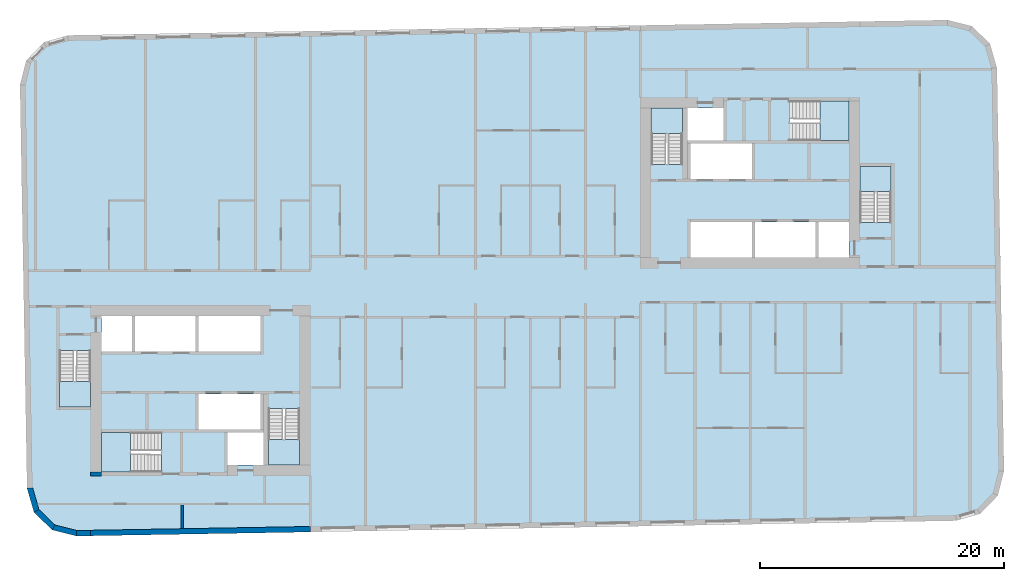
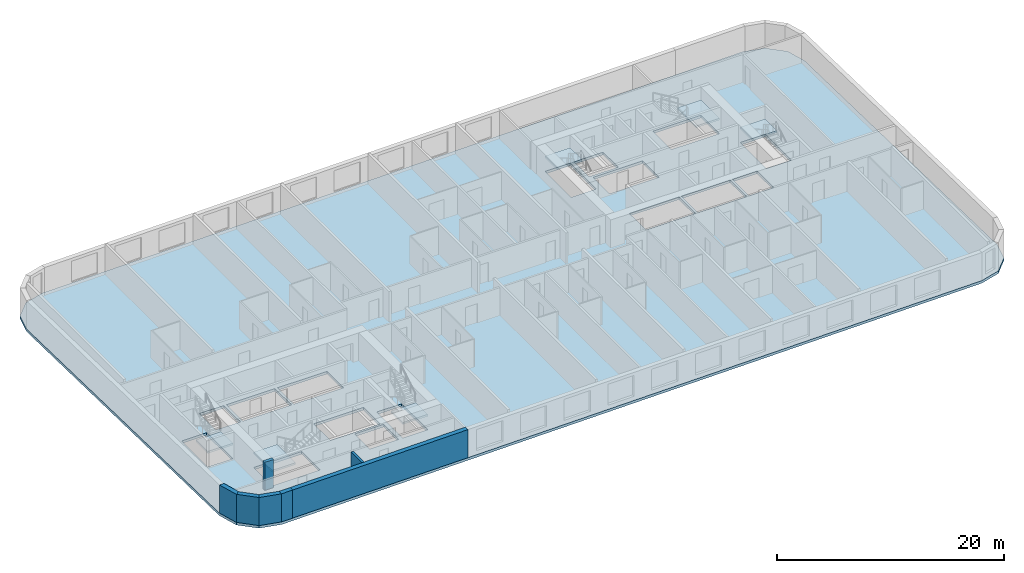
# One storey, part 1 of 12: 7 slabs, 7 walls, 6 elements without a shape of their own.
"""IFC4 building model written with IfcOpenShell, lengths in metres."""

from ifc_helpers import new_model, si_unit, direction, frame, frame_2d, origin, place, context, subcontext, project, spatial, polyline, rectangle, outline, extrude, material, layer, layer_set, type_object, element, aggregate, save


model = new_model("IFC4")

# Units and contexts
model_context = context("Model", 3, precision=1e-05, world=origin(), true_north=direction((0.0, 1.0)))
body_context = subcontext(model_context, "Body", "Model", "MODEL_VIEW")
ifc_project = project(units=[si_unit("LENGTHUNIT", "METRE"), si_unit("AREAUNIT", "SQUARE_METRE"), si_unit("VOLUMEUNIT", "CUBIC_METRE"), si_unit("PLANEANGLEUNIT", "RADIAN"), si_unit("MASSUNIT", "GRAM", prefix="KILO")], contexts=[model_context])

# Site, building, storey
site_placement = place(None, origin())
site = spatial("IfcSite", under=ifc_project, at=site_placement, CompositionType="ELEMENT")
building_placement = place(site_placement, origin())
building = spatial("IfcBuilding", under=site, at=building_placement, Name="Kajstack Hotel Tower", CompositionType="ELEMENT")
storey_placement = place(building_placement, frame((0.0, 0.0, 234.199951171875)))
storey = spatial("IfcBuildingStorey", under=building, at=storey_placement, Name="L57", CompositionType="ELEMENT", Elevation=234.199951171875)

# Slab
ifc_material_1 = material(Name="Concrete C40/50", Category="concrete")
ifc_layer_1 = layer(ifc_material_1, 0.280029296875)
ifc_layer_set_1 = layer_set([ifc_layer_1], Name="RC slab 280 C40/50 guest")
slab_type_1 = type_object("IfcSlabType", Name="RC slab 280 C40/50 guest", PredefinedType="FLOOR", material=ifc_layer_set_1)
slab_1_placement = place(storey_placement, frame((0.0, 0.0, -0.280029296875)))
element("IfcSlab", 1, at=slab_1_placement, inside=storey, type_object=slab_type_1, Name="S-slab-L57", PredefinedType="FLOOR", context=body_context, shape_type="SweptSolid", body=[
    extrude(outline(polyline([(-37.281982421875, 16.49951171875), (-36.705810546875, -16.49560546875), (-36.13525390625, -18.48583984375), (-34.645751953125, -19.92431640625), (-32.63671875, -20.42529296875), (39.352294921875, -19.168701171875), (41.342529296875, -18.597900390625), (42.781005859375, -17.1083984375), (43.281982421875, -15.099365234375), (42.705810546875, 17.8955078125), (42.13525390625, 19.885986328125), (40.645751953125, 21.32421875), (38.63671875, 21.8251953125), (-33.352294921875, 20.568603515625), (-35.342529296875, 19.997802734375), (-36.781005859375, 18.50830078125), (-37.281982421875, 16.49951171875)]), holes=[polyline([(-22.64990234375, -11.699951171875), (-22.64990234375, -8.800048828125), (-17.60009765625, -8.800048828125), (-17.60009765625, -11.699951171875), (-22.64990234375, -11.699951171875)]), polyline([(-27.85009765625, -5.300048828125), (-27.85009765625, -2.39990234375), (-22.89990234375, -2.39990234375), (-22.89990234375, -5.300048828125), (-27.85009765625, -5.300048828125)]), polyline([(-22.64990234375, -5.300048828125), (-22.64990234375, -2.39990234375), (-17.60009765625, -2.39990234375), (-17.60009765625, -5.300048828125), (-22.64990234375, -5.300048828125)]), polyline([(-20.300048828125, -14.60009765625), (-17.35009765625, -14.60009765625), (-17.35009765625, -11.949951171875), (-20.300048828125, -11.949951171875), (-20.300048828125, -14.60009765625)]), polyline([(-30.60009765625, -5.300048828125), (-28.10009765625, -5.300048828125), (-28.10009765625, -2.39990234375), (-30.60009765625, -2.39990234375), (-30.60009765625, -5.300048828125)]), polyline([(17.60009765625, 8.800048828125), (17.60009765625, 11.699951171875), (22.64990234375, 11.699951171875), (22.64990234375, 8.800048828125), (17.60009765625, 8.800048828125)]), polyline([(22.89990234375, 2.39990234375), (22.89990234375, 5.300048828125), (27.85009765625, 5.300048828125), (27.85009765625, 2.39990234375), (22.89990234375, 2.39990234375)]), polyline([(17.60009765625, 2.39990234375), (17.60009765625, 5.300048828125), (22.64990234375, 5.300048828125), (22.64990234375, 2.39990234375), (17.60009765625, 2.39990234375)]), polyline([(20.300048828125, 14.60009765625), (17.35009765625, 14.60009765625), (17.35009765625, 11.949951171875), (20.300048828125, 11.949951171875), (20.300048828125, 14.60009765625)]), polyline([(30.60009765625, 5.300048828125), (28.10009765625, 5.300048828125), (28.10009765625, 2.39990234375), (30.60009765625, 2.39990234375), (30.60009765625, 5.300048828125)]), polyline([(-34.050048828125, -9.85009765625), (-31.5, -9.85009765625), (-31.5, -5.25), (-34.050048828125, -5.25), (-34.050048828125, -9.85009765625)]), polyline([(-16.949951171875, -14.60009765625), (-14.39990234375, -14.60009765625), (-14.39990234375, -10.0), (-16.949951171875, -10.0), (-16.949951171875, -14.60009765625)]), polyline([(-30.60009765625, -15.199951171875), (-25.699951171875, -15.199951171875), (-25.699951171875, -11.949951171875), (-30.60009765625, -11.949951171875), (-30.60009765625, -15.199951171875)]), polyline([(34.050048828125, 9.85009765625), (31.5, 9.85009765625), (31.5, 5.25), (34.050048828125, 5.25), (34.050048828125, 9.85009765625)]), polyline([(16.949951171875, 14.60009765625), (14.39990234375, 14.60009765625), (14.39990234375, 10.0), (16.949951171875, 10.0), (16.949951171875, 14.60009765625)]), polyline([(30.60009765625, 15.199951171875), (25.699951171875, 15.199951171875), (25.699951171875, 11.949951171875), (30.60009765625, 11.949951171875), (30.60009765625, 15.199951171875)])]), origin(), (0.0, 0.0, 1.0), 0.280029296875),
])

# Stair, slab
stair_type_1 = type_object("IfcStairType", Name="Exit stair 1200", PredefinedType="HALF_TURN_STAIR", material=ifc_material_1)
stair_1_placement = place(storey_placement, origin())
stair_1 = element("IfcStair", 2, at=stair_1_placement, inside=storey, type_object=stair_type_1, Name="L57 stair W1", PredefinedType="HALF_TURN_STAIR")
ifc_layer_2 = layer(ifc_material_1, 0.199951171875)
ifc_layer_set_2 = layer_set([ifc_layer_2], Name="Stair landing 200")
slab_type_2 = type_object("IfcSlabType", Name="Stair landing 200", PredefinedType="LANDING", material=ifc_layer_set_2)
slab_2_placement = place(storey_placement, frame((0.0, 0.0, 1.449951171875)))
slab_2 = element("IfcSlab", 3, at=slab_2_placement, type_object=slab_type_2, Name="W1 landing 1", PredefinedType="LANDING", context=body_context, shape_type="SweptSolid", body=[
    extrude(outline(polyline([(-34.050048828125, -7.77001953125), (-34.050048828125, -9.85009765625), (-31.5, -9.85009765625), (-31.5, -7.77001953125), (-34.050048828125, -7.77001953125)])), origin(), (0.0, 0.0, 1.0), 0.2001953125),
])
aggregate(stair_1, [slab_2])

stair_2_placement = place(storey_placement, origin())
stair_2 = element("IfcStair", 4, at=stair_2_placement, inside=storey, type_object=stair_type_1, Name="L57 stair W2", PredefinedType="HALF_TURN_STAIR")
slab_3_placement = place(storey_placement, frame((0.0, 0.0, 1.449951171875)))
slab_3 = element("IfcSlab", 5, at=slab_3_placement, type_object=slab_type_2, Name="W2 landing 1", PredefinedType="LANDING", context=body_context, shape_type="SweptSolid", body=[
    extrude(outline(polyline([(-16.949951171875, -12.52001953125), (-16.949951171875, -14.60009765625), (-14.39990234375, -14.60009765625), (-14.39990234375, -12.52001953125), (-16.949951171875, -12.52001953125)])), origin(), (0.0, 0.0, 1.0), 0.2001953125),
])
aggregate(stair_2, [slab_3])

stair_type_2 = type_object("IfcStairType", Name="Exit stair 1500", PredefinedType="HALF_TURN_STAIR", material=ifc_material_1)
stair_3_placement = place(storey_placement, origin())
stair_3 = element("IfcStair", 6, at=stair_3_placement, inside=storey, type_object=stair_type_2, Name="L57 stair W3", PredefinedType="HALF_TURN_STAIR")
slab_4_placement = place(storey_placement, frame((0.0, 0.0, 1.449951171875)))
slab_4 = element("IfcSlab", 7, at=slab_4_placement, type_object=slab_type_2, Name="W3 landing 1", PredefinedType="LANDING", context=body_context, shape_type="SweptSolid", body=[
    extrude(outline(polyline([(-28.219970703125, -11.949951171875), (-30.60009765625, -11.949951171875), (-30.60009765625, -15.199951171875), (-28.219970703125, -15.199951171875), (-28.219970703125, -11.949951171875)])), origin(), (0.0, 0.0, 1.0), 0.2001953125),
])
aggregate(stair_3, [slab_4])

stair_4_placement = place(storey_placement, origin())
stair_4 = element("IfcStair", 8, at=stair_4_placement, inside=storey, type_object=stair_type_1, Name="L57 stair E1", PredefinedType="HALF_TURN_STAIR")
slab_5_placement = place(storey_placement, frame((0.0, 0.0, 1.449951171875)))
slab_5 = element("IfcSlab", 9, at=slab_5_placement, type_object=slab_type_2, Name="E1 landing 1", PredefinedType="LANDING", context=body_context, shape_type="SweptSolid", body=[
    extrude(outline(polyline([(34.050048828125, 7.77001953125), (34.050048828125, 9.85009765625), (31.5, 9.85009765625), (31.5, 7.77001953125), (34.050048828125, 7.77001953125)])), origin(), (0.0, 0.0, 1.0), 0.2001953125),
])
aggregate(stair_4, [slab_5])

stair_5_placement = place(storey_placement, origin())
stair_5 = element("IfcStair", 10, at=stair_5_placement, inside=storey, type_object=stair_type_1, Name="L57 stair E2", PredefinedType="HALF_TURN_STAIR")
slab_6_placement = place(storey_placement, frame((0.0, 0.0, 1.449951171875)))
slab_6 = element("IfcSlab", 11, at=slab_6_placement, type_object=slab_type_2, Name="E2 landing 1", PredefinedType="LANDING", context=body_context, shape_type="SweptSolid", body=[
    extrude(outline(polyline([(16.949951171875, 12.52001953125), (16.949951171875, 14.60009765625), (14.39990234375, 14.60009765625), (14.39990234375, 12.52001953125), (16.949951171875, 12.52001953125)])), origin(), (0.0, 0.0, 1.0), 0.2001953125),
])
aggregate(stair_5, [slab_6])

stair_6_placement = place(storey_placement, origin())
stair_6 = element("IfcStair", 12, at=stair_6_placement, inside=storey, type_object=stair_type_2, Name="L57 stair E3", PredefinedType="HALF_TURN_STAIR")
slab_7_placement = place(storey_placement, frame((0.0, 0.0, 1.449951171875)))
slab_7 = element("IfcSlab", 13, at=slab_7_placement, type_object=slab_type_2, Name="E3 landing 1", PredefinedType="LANDING", context=body_context, shape_type="SweptSolid", body=[
    extrude(outline(polyline([(28.219970703125, 11.949951171875), (30.60009765625, 11.949951171875), (30.60009765625, 15.199951171875), (28.219970703125, 15.199951171875), (28.219970703125, 11.949951171875)])), origin(), (0.0, 0.0, 1.0), 0.2001953125),
])
aggregate(stair_6, [slab_7])

# Walls
ifc_material_2 = material(Name="Concrete C60/75", Category="concrete")
ifc_layer_3 = layer(ifc_material_2, 0.89990234375)
ifc_layer_set_3 = layer_set([ifc_layer_3], Name="Core wall 900")
wall_type_1 = type_object("IfcWallType", Name="Core wall 900", PredefinedType="SHEAR", material=ifc_layer_set_3)
wall_1_placement = place(storey_placement, frame((-31.5, -15.35009765625, 0.0), z_axis=(0.0, 0.0, 1.0), x_axis=(1.0, 0.0, 0.0)))
element("IfcWall", 14, at=wall_1_placement, inside=storey, type_object=wall_type_1, Name="Core wall W RSW", PredefinedType="SHEAR", context=body_context, shape_type="SweptSolid", body=[
    extrude(rectangle(XDim=0.89990234375, YDim=0.300048828125, at=frame_2d((0.449951171875, 0.0))), origin(), (0.0, 0.0, 1.0), 3.02001953125),
])
ifc_layer_4 = layer(ifc_material_1, 0.449951171875)
ifc_layer_set_4 = layer_set([ifc_layer_4], Name="EW-CORE")
wall_type_2 = type_object("IfcWallType", Name="EW-CORE", PredefinedType="SOLIDWALL", material=ifc_layer_set_4)
wall_2_placement = place(storey_placement, frame((-31.50390625, -20.180419921875, 0.0), z_axis=(0.0, 0.0, 1.0), x_axis=(0.999847677887, 0.017453395744, 0.0)))
element("IfcWall", 15, at=wall_2_placement, inside=storey, type_object=wall_type_2, Name="E-wall-L57-04-01", PredefinedType="SOLIDWALL", context=body_context, shape_type="SweptSolid", body=[
    extrude(rectangle(XDim=18.002685546875, YDim=0.449951171875, at=frame_2d((9.00146484375, 0.0))), origin(), (0.0, 0.0, 1.0), 3.02001953125),
])
ifc_material_3 = material(Name="Terracotta-faced brick masonry", Category="masonry")
ifc_layer_5 = layer(ifc_material_3, 0.449951171875)
ifc_layer_set_5 = layer_set([ifc_layer_5], Name="EW-TERRA")
wall_type_3 = type_object("IfcWallType", Name="EW-TERRA", PredefinedType="SOLIDWALL", material=ifc_layer_set_5)
wall_3_placement = place(storey_placement, frame((-36.489501953125, -16.43359375, 0.0), z_axis=(0.0, 0.0, 1.0), x_axis=(0.275577603096, -0.961278827745, 0.0)))
element("IfcWall", 16, at=wall_3_placement, inside=storey, type_object=wall_type_3, Name="E-wall-L57-01-00", PredefinedType="SOLIDWALL", context=body_context, shape_type="SweptSolid", body=[
    extrude(outline(polyline([(0.0, -0.22509765625), (2.070556640625, -0.22509765625), (1.949951171875, 0.22509765625), (0.12060546875, 0.224853515625), (0.0, -0.22509765625)])), origin(), (0.0, 0.0, 1.0), 3.02001953125),
])
wall_4_placement = place(storey_placement, frame((-35.97900390625, -18.323974609375, 0.0), z_axis=(0.0, 0.0, 1.0), x_axis=(0.719320193998, -0.694678672846, 0.0)))
element("IfcWall", 17, at=wall_4_placement, inside=storey, type_object=wall_type_3, Name="E-wall-L57-02-00", PredefinedType="SOLIDWALL", context=body_context, shape_type="SweptSolid", body=[
    extrude(outline(polyline([(0.000244140625, -0.22509765625), (2.07080078125, -0.22509765625), (1.9501953125, 0.22509765625), (0.12060546875, 0.22509765625), (0.000244140625, -0.22509765625)])), origin(), (0.0, 0.0, 1.0), 3.02001953125),
])
wall_5_placement = place(storey_placement, frame((-34.59130859375, -19.7060546875, 0.0), z_axis=(0.0, 0.0, 1.0), x_axis=(0.970315655375, -0.241841950319, 0.0)))
element("IfcWall", 18, at=wall_5_placement, inside=storey, type_object=wall_type_3, Name="E-wall-L57-03-00", PredefinedType="SOLIDWALL", context=body_context, shape_type="SweptSolid", body=[
    extrude(outline(polyline([(0.0, -0.224853515625), (2.070556640625, -0.22509765625), (1.949951171875, 0.224853515625), (0.12060546875, 0.22509765625), (0.0, -0.224853515625)])), origin(), (0.0, 0.0, 1.0), 3.02001953125),
])
wall_6_placement = place(storey_placement, frame((-32.640625, -20.2001953125, 0.0), z_axis=(0.0, 0.0, 1.0), x_axis=(0.99984870815, 0.017394275206, 0.0)))
element("IfcWall", 19, at=wall_6_placement, inside=storey, type_object=wall_type_3, Name="E-wall-L57-04-00", PredefinedType="SOLIDWALL", context=body_context, shape_type="SweptSolid", body=[
    extrude(rectangle(XDim=1.136962890625, YDim=0.449951171875, at=frame_2d((0.568359375, 0.0))), origin(), (0.0, 0.0, 1.0), 3.02001953125),
])
ifc_material_4 = material(Name="Gypsum board on steel studs, mineral wool", Category="steel")
ifc_layer_6 = layer(ifc_material_4, 0.199951171875)
ifc_layer_set_6 = layer_set([ifc_layer_6], Name="Service partition 200")
wall_type_4 = type_object("IfcWallType", Name="Service partition 200", PredefinedType="PARTITIONING", material=ifc_layer_set_6)
wall_7_placement = place(storey_placement, frame((-24.0, -19.824462890625, 0.0), z_axis=(0.0, 0.0, 1.0), x_axis=(0.0, 1.0, 0.0)))
element("IfcWall", 20, at=wall_7_placement, inside=storey, type_object=wall_type_4, Name="Partition W SLP0", PredefinedType="PARTITIONING", context=body_context, shape_type="SweptSolid", body=[
    extrude(rectangle(XDim=1.924560546875, YDim=0.199951171875, at=frame_2d((0.96240234375, 0.0))), origin(), (0.0, 0.0, 1.0), 3.02001953125),
])

save(model, "model.ifc")
